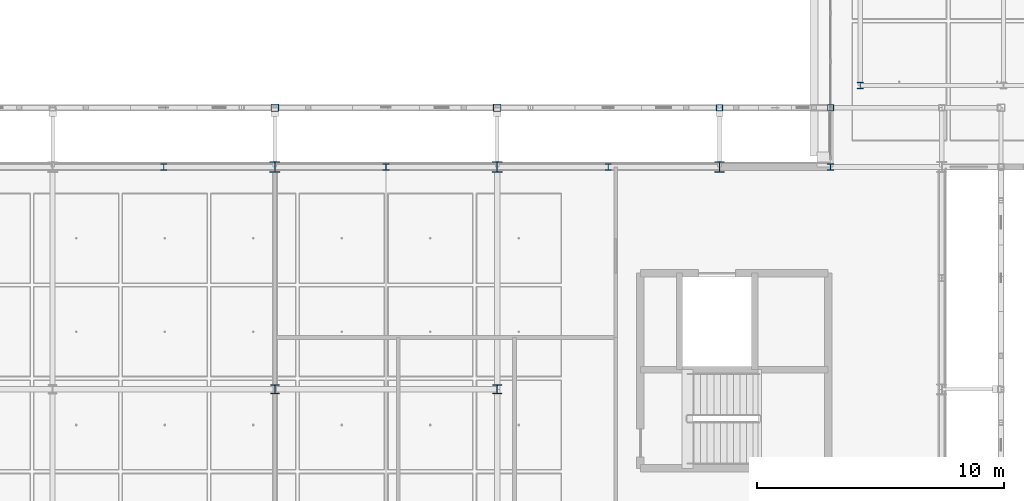
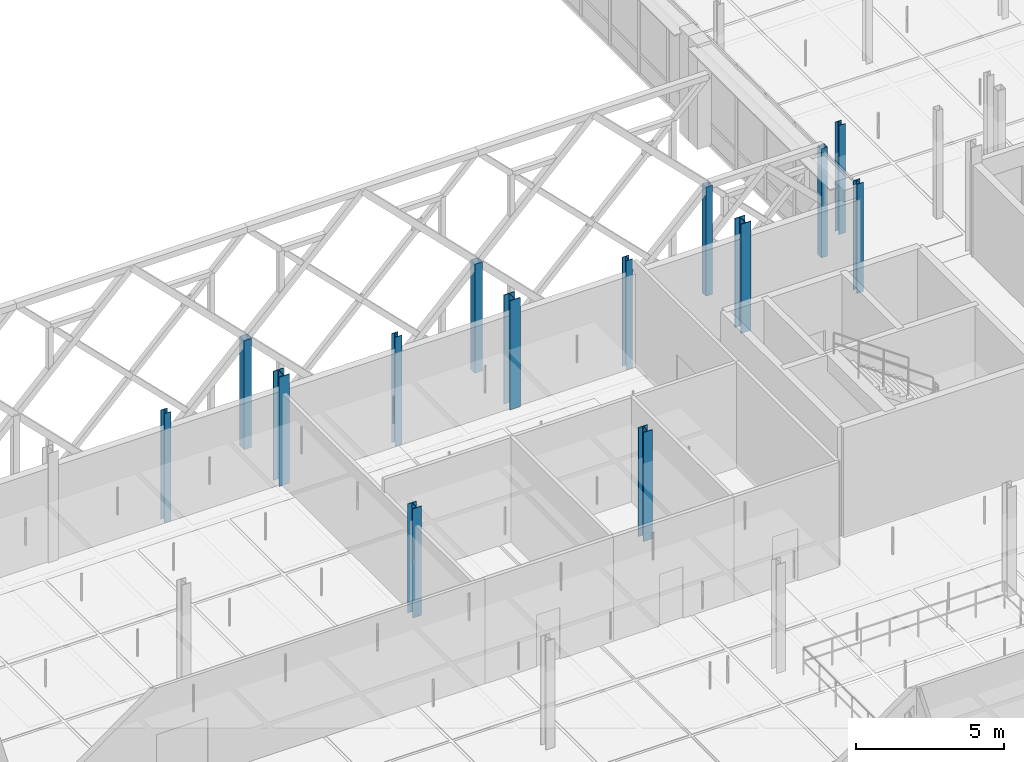
# One storey, part 9 of 140: 14 columns.
"""IFC4 building model written with IfcOpenShell, lengths in metres."""

import ifcopenshell
import ifcopenshell.guid

model = None  # the IFC model being written
_history = None  # IfcOwnerHistory: only IFC2X3 demands one
_inside = {}  # id of a spatial element -> (the spatial element, [elements in it])
_under = {}  # id of a project, library or spatial element -> (it, [spatial elements below it])
_declared = {}  # id of a project -> (the project, [libraries it declares])
_typed = {}  # id of a type object -> (the type object, [elements of that type])
_made_of = {}  # id of a material, layer set ... -> (it, [elements and type objects made of it])


def new_model(schema):
    """Start an empty IFC model of exactly this schema.

    Asked for "IFC4X3", IfcOpenShell would pick the latest addendum, in which some entities
    have other attributes; the version numbers below select the first issue.
    IFC2X3 requires an IfcOwnerHistory on every rooted entity: one is made here for all.
    """
    global model, _history
    if schema == "IFC4X3":
        model = ifcopenshell.file(schema_version=(4, 3, 0, 0))
    else:
        model = ifcopenshell.file(schema=schema)
    _inside.clear()
    _under.clear()
    _declared.clear()
    _typed.clear()
    _made_of.clear()
    _history = None
    if model.schema == "IFC2X3":
        org = make("IfcOrganization", Name="unknown")
        user = make(
            "IfcPersonAndOrganization",
            ThePerson=make("IfcPerson", FamilyName="unknown"),
            TheOrganization=org,
        )
        app = make(
            "IfcApplication",
            ApplicationDeveloper=org,
            Version="unknown",
            ApplicationFullName="unknown",
            ApplicationIdentifier="unknown",
        )
        _history = make(
            "IfcOwnerHistory",
            OwningUser=user,
            OwningApplication=app,
            ChangeAction="ADDED",
            CreationDate=0,
        )
    return model


def make(cls, **values):
    """One entity of the class cls with the attributes given. An attribute that is None is left unset."""
    return model.create_entity(
        cls, **{name: value for name, value in values.items() if value is not None}
    )


def rooted(cls, **values):
    """An entity with a GlobalId (a new one), such as an element, a storey or a relation."""
    return make(cls, GlobalId=ifcopenshell.guid.new(), OwnerHistory=_history, **values)


def si_unit(unit_type, name, prefix=None):
    """IfcSIUnit, for example si_unit("LENGTHUNIT", "METRE", prefix="MILLI")."""
    return make("IfcSIUnit", UnitType=unit_type, Prefix=prefix, Name=name)


def assignment(units):
    """IfcUnitAssignment: the units of a project."""
    return None if units is None else make("IfcUnitAssignment", Units=units)


def point(xyz):
    """IfcCartesianPoint."""
    return None if xyz is None else make("IfcCartesianPoint", Coordinates=xyz)


def direction(xyz):
    """IfcDirection."""
    return None if xyz is None else make("IfcDirection", DirectionRatios=xyz)


def frame(location, z_axis=None, x_axis=None):
    """IfcAxis2Placement3D, a coordinate frame: its origin and axes. An axis left out is left unset."""
    return make(
        "IfcAxis2Placement3D",
        Location=point(location),
        Axis=direction(z_axis),
        RefDirection=direction(x_axis),
    )


def frame_2d(location, x_axis=None):
    """IfcAxis2Placement2D, a coordinate frame in the plane: its origin and x axis."""
    return make(
        "IfcAxis2Placement2D", Location=point(location), RefDirection=direction(x_axis)
    )


def origin():
    """The frame at (0, 0, 0) with its axes left unset."""
    return frame((0.0, 0.0, 0.0))


def origin_2d():
    """The frame at (0, 0) in the plane with its x axis left unset."""
    return frame_2d((0.0, 0.0))


def place(relative_to, where):
    """IfcLocalPlacement: puts the frame where relative to a parent placement (None: the world)."""
    return make(
        "IfcLocalPlacement", PlacementRelTo=relative_to, RelativePlacement=where
    )


def context(
    kind, dimensions, precision=None, world=None, true_north=None, identifier=None
):
    """IfcGeometricRepresentationContext, for example the 3D "Model" context."""
    return make(
        "IfcGeometricRepresentationContext",
        ContextIdentifier=identifier,
        ContextType=kind,
        CoordinateSpaceDimension=dimensions,
        Precision=precision,
        WorldCoordinateSystem=world,
        TrueNorth=true_north,
    )


def subcontext(parent, identifier, kind, view, scale=None):
    """IfcGeometricRepresentationSubContext, for example "Body" below "Model"."""
    return make(
        "IfcGeometricRepresentationSubContext",
        ContextIdentifier=identifier,
        ContextType=kind,
        ParentContext=parent,
        TargetScale=scale,
        TargetView=view,
    )


def project(units=None, contexts=None):
    """IfcProject with its units and contexts."""
    return rooted(
        "IfcProject",
        Name="project",
        RepresentationContexts=contexts,
        UnitsInContext=assignment(units),
    )


def spatial(cls, under=None, at=None, **own):
    """A site, building, storey or space (cls), placed at a placement, below another one or the project."""
    s = rooted(cls, ObjectPlacement=at, **own)
    if under is not None:
        _under.setdefault(under.id(), (under, []))[1].append(s)
    return s


def profile(cls, at=None, kind="AREA", **sizes):
    """A parametric profile (cls). Its sizes go by their IFC names, for example OverallWidth=200.0."""
    return make(cls, ProfileType=kind, Position=at, **sizes)


def hollow_rectangle(**sizes):
    """IfcRectangleHollowProfileDef."""
    return profile("IfcRectangleHollowProfileDef", **sizes)


def i_section(**sizes):
    """IfcIShapeProfileDef."""
    return profile("IfcIShapeProfileDef", **sizes)


def extrude(swept, where, along, depth):
    """IfcExtrudedAreaSolid: the profile swept, set in the frame where, extruded along a direction by depth."""
    return make(
        "IfcExtrudedAreaSolid",
        SweptArea=swept,
        Position=where,
        ExtrudedDirection=direction(along),
        Depth=depth,
    )


def shape(context_of_items, identifier, shape_type, items):
    """IfcShapeRepresentation: the items that make up one representation, for example the "Body"."""
    return make(
        "IfcShapeRepresentation",
        ContextOfItems=context_of_items,
        RepresentationIdentifier=identifier,
        RepresentationType=shape_type,
        Items=items,
    )


def material(Name=None, Category=None):
    """IfcMaterial."""
    return make("IfcMaterial", Name=Name, Category=Category)


def material_profile(
    of_material, cross_section, Name=None, Category=None, Priority=None
):
    """IfcMaterialProfile: a cross section and its material."""
    return make(
        "IfcMaterialProfile",
        Name=Name,
        Material=of_material,
        Profile=cross_section,
        Priority=Priority,
        Category=Category,
    )


def profile_set(profiles, Name=None, composite=None):
    """IfcMaterialProfileSet."""
    return make(
        "IfcMaterialProfileSet",
        Name=Name,
        MaterialProfiles=profiles,
        CompositeProfile=composite,
    )


def made_of(thing, what):
    """Note that an element or type object is made of a material, layer set ...; save() writes the relation."""
    if what is not None:
        _made_of.setdefault(what.id(), (what, []))[1].append(thing)
    return thing


def type_object(cls, material=None, **own):
    """A type object (cls), such as IfcWallType, which elements share."""
    return made_of(rooted(cls, **own), material)


def element(
    cls,
    number,
    at=None,
    inside=None,
    cuts=None,
    type_object=None,
    material=None,
    context=None,
    identifier="Body",
    shape_type=None,
    held_by="IfcProductDefinitionShape",
    body=None,
    shapes=None,
    **own,
):
    """One element of the class cls, such as IfcWall. Its Tag is "e" and its number.

    at: its placement. inside: the storey or other place that contains it. cuts: it is an
    opening in that element (IfcRelVoidsElement). A single representation is given by context,
    identifier, shape_type and body (its items); several are given by shapes. held_by: the class
    of the entity that holds the representations. save() writes the other relations.
    """
    e = rooted(cls, Tag="e%d" % number, ObjectPlacement=at, **own)
    if body is not None:
        shapes = [shape(context, identifier, shape_type, body)]
    if shapes is not None:
        e.Representation = make(held_by, Representations=shapes)
    if inside is not None:
        _inside.setdefault(inside.id(), (inside, []))[1].append(e)
    if cuts is not None:
        rooted(
            "IfcRelVoidsElement", RelatingBuildingElement=cuts, RelatedOpeningElement=e
        )
    if type_object is not None:
        _typed.setdefault(type_object.id(), (type_object, []))[1].append(e)
    return made_of(e, material)


def aggregate(whole, parts):
    """IfcRelAggregates: a whole, such as a stair, and the parts it consists of."""
    return rooted("IfcRelAggregates", RelatingObject=whole, RelatedObjects=parts)


def save(model, path):
    """Write the relations noted so far, then the file.

    IfcRelAggregates (storeys below a building ...), IfcRelContainedInSpatialStructure (elements
    in a storey), IfcRelDefinesByType, IfcRelAssociatesMaterial and IfcRelDeclares: one each for
    every whole, place, type object, material and project.
    """
    for whole, parts in _under.values():
        aggregate(whole, parts)
    for where, things in _inside.values():
        rooted(
            "IfcRelContainedInSpatialStructure",
            RelatedElements=things,
            RelatingStructure=where,
        )
    for kind, things in _typed.values():
        rooted("IfcRelDefinesByType", RelatedObjects=things, RelatingType=kind)
    for what, things in _made_of.values():
        rooted("IfcRelAssociatesMaterial", RelatedObjects=things, RelatingMaterial=what)
    for by, libraries in _declared.values():
        rooted("IfcRelDeclares", RelatingContext=by, RelatedDefinitions=libraries)
    model.write(path)


model = new_model("IFC4")

# Units and contexts
model_context = context("Model", 3, precision=1e-05, world=origin(), true_north=direction((0.0, 1.0)))
body_context = subcontext(model_context, "Body", "Model", "MODEL_VIEW")
ifc_project = project(units=[si_unit("LENGTHUNIT", "METRE"), si_unit("AREAUNIT", "SQUARE_METRE"), si_unit("VOLUMEUNIT", "CUBIC_METRE"), si_unit("PLANEANGLEUNIT", "RADIAN"), si_unit("MASSUNIT", "GRAM", prefix="KILO"), si_unit("THERMODYNAMICTEMPERATUREUNIT", "KELVIN"), si_unit("POWERUNIT", "WATT")], contexts=[model_context])

# Site, building, storey
site_placement = place(None, origin())
site = spatial("IfcSite", under=ifc_project, at=site_placement, CompositionType="ELEMENT")
building_placement = place(site_placement, origin())
building = spatial("IfcBuilding", under=site, at=building_placement, Name="Tallowbark Science Centre", CompositionType="ELEMENT")
storey_placement = place(building_placement, frame((0.0, 0.0, 9.89990234375)))
storey = spatial("IfcBuildingStorey", under=building, at=storey_placement, Name="L02", CompositionType="ELEMENT", Elevation=9.89990234375)

# Columns
ifc_material_1 = material(Name="White Architectural Painted Steel Grade C350L0 (350 MPa)", Category="steel")
ifc_material_profile_1 = material_profile(ifc_material_1, hollow_rectangle(XDim=0.25, YDim=0.25, WallThickness=0.009033203125, at=origin_2d()), Name="250x250x9.0SHS")
ifc_profile_set_1 = profile_set([ifc_material_profile_1], Name="White Architectural Painted Steel Grade C350L0 (350 MPa)")
column_type_1 = type_object("IfcColumnType", Name="COL-SCR200", PredefinedType="COLUMN", material=ifc_profile_set_1)
for number, where, z_axis, x_axis, name in (
    (1, (94.5, 42.89990234375, 0.0), (0.0, 0.0, 1.0), (1.0, 0.0, 0.0), "Column SCR-N05 L02"),
    (2, (99.0, 42.89990234375, 0.0), (0.0, 0.0, 1.0), (1.0, 0.0, 0.0), "Column SCR-NLNK L02"),
):
    element("IfcColumn", number, at=place(storey_placement, frame(where, z_axis=z_axis, x_axis=x_axis)), inside=storey, type_object=column_type_1, Name=name, PredefinedType="COLUMN", context=body_context, shape_type="SweptSolid", body=[
        extrude(hollow_rectangle(XDim=0.25, YDim=0.25, WallThickness=0.009033203125, at=origin_2d()), origin(), (0.0, 0.0, 1.0), 4.5),
    ])
ifc_material_profile_2 = material_profile(ifc_material_1, hollow_rectangle(XDim=0.300048828125, YDim=0.300048828125, WallThickness=0.010009765625, at=origin_2d()), Name="300x300x10.0SHS")
ifc_profile_set_2 = profile_set([ifc_material_profile_2], Name="White Architectural Painted Steel Grade C350L0 (350 MPa)")
column_type_2 = type_object("IfcColumnType", Name="COL-SCR300", PredefinedType="COLUMN", material=ifc_profile_set_2)
for number, where, z_axis, x_axis, name in (
    (3, (76.5, 42.89990234375, 0.0), (0.0, 0.0, 1.0), (1.0, 0.0, 0.0), "Column SCR-N03 L02"),
    (4, (85.5, 42.89990234375, 0.0), (0.0, 0.0, 1.0), (1.0, 0.0, 0.0), "Column SCR-N04 L02"),
):
    element("IfcColumn", number, at=place(storey_placement, frame(where, z_axis=z_axis, x_axis=x_axis)), inside=storey, type_object=column_type_2, Name=name, PredefinedType="COLUMN", context=body_context, shape_type="SweptSolid", body=[
        extrude(hollow_rectangle(XDim=0.300048828125, YDim=0.300048828125, WallThickness=0.010009765625, at=origin_2d()), origin(), (0.0, 0.0, 1.0), 4.5),
    ])
ifc_material_2 = material(Name="Structural Steel Grade 300PLUS (300 MPa)", Category="steel")
ifc_material_profile_3 = material_profile(ifc_material_2, i_section(OverallWidth=0.256103515625, OverallDepth=0.260009765625, WebThickness=0.010498046875, FlangeThickness=0.017333984375, FilletRadius=0.013916015625, at=origin_2d()), Name="250UC89.5")
ifc_profile_set_3 = profile_set([ifc_material_profile_3], Name="Structural Steel Grade 300PLUS (300 MPa)")
column_type_3 = type_object("IfcColumnType", Name="COL-UC250A", PredefinedType="COLUMN", material=ifc_profile_set_3)
column_placement = place(storey_placement, frame((100.199951171875, 43.800048828125, 0.0), z_axis=(0.0, 0.0, 1.0), x_axis=(1.0, 0.0, 0.0)))
element("IfcColumn", 5, at=column_placement, inside=storey, type_object=column_type_3, Name="Column LNK-0_0 L02", PredefinedType="COLUMN", context=body_context, shape_type="SweptSolid", body=[
    extrude(i_section(OverallWidth=0.256103515625, OverallDepth=0.260009765625, WebThickness=0.010498046875, FlangeThickness=0.017333984375, FilletRadius=0.013916015625, at=origin_2d()), origin(), (0.0, 0.0, 1.0), 4.5),
])
ifc_material_profile_4 = material_profile(ifc_material_2, i_section(OverallWidth=0.35009765625, OverallDepth=0.35888671875, WebThickness=0.01611328125, FlangeThickness=0.02392578125, FilletRadius=0.013916015625, at=origin_2d()), Name="350WC197")
ifc_profile_set_4 = profile_set([ifc_material_profile_4], Name="Structural Steel Grade 300PLUS (300 MPa)")
column_type_4 = type_object("IfcColumnType", Name="COL-WC350", PredefinedType="COLUMN", material=ifc_profile_set_4)
for number, where, z_axis, x_axis, name in (
    (6, (76.5, 31.5, 0.0), (0.0, 0.0, 1.0), (1.0, 0.0, 0.0), "Column CUB-M2_3 L02"),
    (7, (85.5, 31.5, 0.0), (0.0, 0.0, 1.0), (1.0, 0.0, 0.0), "Column CUB-M3_3 L02"),
):
    element("IfcColumn", number, at=place(storey_placement, frame(where, z_axis=z_axis, x_axis=x_axis)), inside=storey, type_object=column_type_4, Name=name, PredefinedType="COLUMN", context=body_context, shape_type="SweptSolid", body=[
        extrude(i_section(OverallWidth=0.35009765625, OverallDepth=0.35888671875, WebThickness=0.01611328125, FlangeThickness=0.02392578125, FilletRadius=0.013916015625, at=origin_2d()), origin(), (0.0, 0.0, 1.0), 4.5),
    ])
ifc_material_profile_5 = material_profile(ifc_material_2, i_section(OverallWidth=0.39990234375, OverallDepth=0.427978515625, WebThickness=0.02001953125, FlangeThickness=0.028076171875, FilletRadius=0.01611328125, at=origin_2d()), Name="400WC270")
ifc_profile_set_5 = profile_set([ifc_material_profile_5], Name="Structural Steel Grade 300PLUS (300 MPa)")
column_type_5 = type_object("IfcColumnType", Name="COL-WC400", PredefinedType="COLUMN", material=ifc_profile_set_5)
for number, where, z_axis, x_axis, name in (
    (8, (76.5, 40.5, 0.0), (0.0, 0.0, 1.0), (1.0, 0.0, 0.0), "Column CUB-M2_4 L02"),
    (9, (85.5, 40.5, 0.0), (0.0, 0.0, 1.0), (1.0, 0.0, 0.0), "Column CUB-M3_4 L02"),
    (10, (94.5, 40.5, 0.0), (0.0, 0.0, 1.0), (1.0, 0.0, 0.0), "Column CUB-M4_4 L02"),
):
    element("IfcColumn", number, at=place(storey_placement, frame(where, z_axis=z_axis, x_axis=x_axis)), inside=storey, type_object=column_type_5, Name=name, PredefinedType="COLUMN", context=body_context, shape_type="SweptSolid", body=[
        extrude(i_section(OverallWidth=0.39990234375, OverallDepth=0.427978515625, WebThickness=0.02001953125, FlangeThickness=0.028076171875, FilletRadius=0.01611328125, at=origin_2d()), origin(), (0.0, 0.0, 1.0), 4.5),
    ])
ifc_material_profile_6 = material_profile(ifc_material_2, i_section(OverallWidth=0.256103515625, OverallDepth=0.260009765625, WebThickness=0.010498046875, FlangeThickness=0.017333984375, FilletRadius=0.013916015625, at=origin_2d()), Name="250UC89.5")
ifc_profile_set_6 = profile_set([ifc_material_profile_6], Name="Structural Steel Grade 300PLUS (300 MPa)")
column_type_6 = type_object("IfcColumnType", Name="PIL-UC250", PredefinedType="PILASTER", material=ifc_profile_set_6)
for number, where, z_axis, x_axis, name in (
    (11, (72.0, 40.5, 0.0), (0.0, 0.0, 1.0), (1.0, 0.0, 0.0), "Column CUB-PN-1 L02"),
    (12, (81.0, 40.5, 0.0), (0.0, 0.0, 1.0), (1.0, 0.0, 0.0), "Column CUB-PN-2 L02"),
    (13, (90.0, 40.5, 0.0), (0.0, 0.0, 1.0), (1.0, 0.0, 0.0), "Column CUB-PN-3 L02"),
    (14, (99.0, 40.5, 0.0), (0.0, 0.0, 1.0), (1.0, 0.0, 0.0), "Column CUB-PN-4 L02"),
):
    element("IfcColumn", number, at=place(storey_placement, frame(where, z_axis=z_axis, x_axis=x_axis)), inside=storey, type_object=column_type_6, Name=name, PredefinedType="PILASTER", context=body_context, shape_type="SweptSolid", body=[
        extrude(i_section(OverallWidth=0.256103515625, OverallDepth=0.260009765625, WebThickness=0.010498046875, FlangeThickness=0.017333984375, FilletRadius=0.013916015625, at=origin_2d()), origin(), (0.0, 0.0, 1.0), 4.5),
    ])

save(model, "model.ifc")
